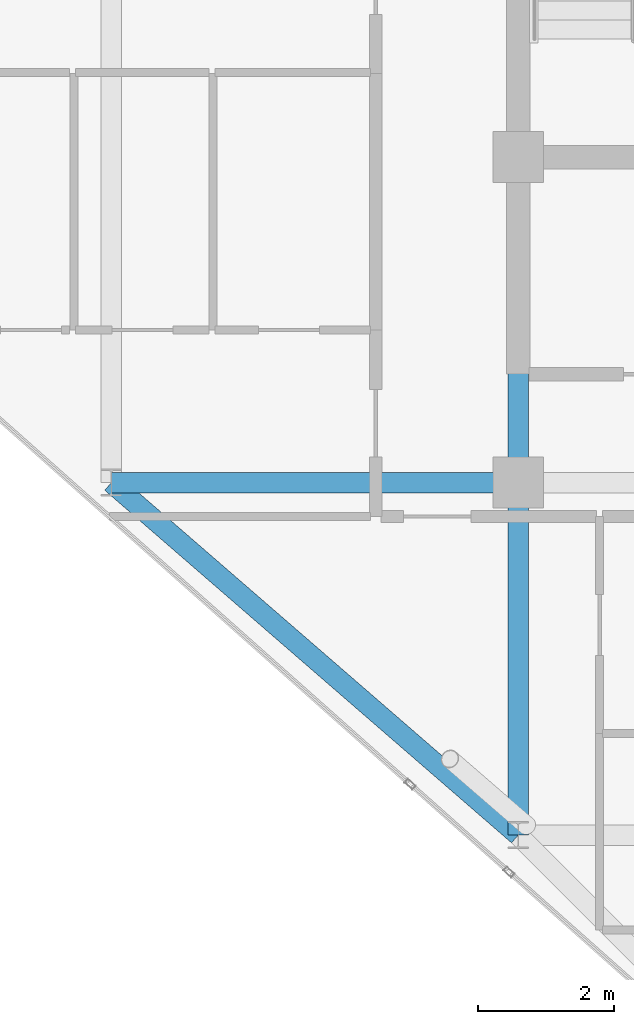
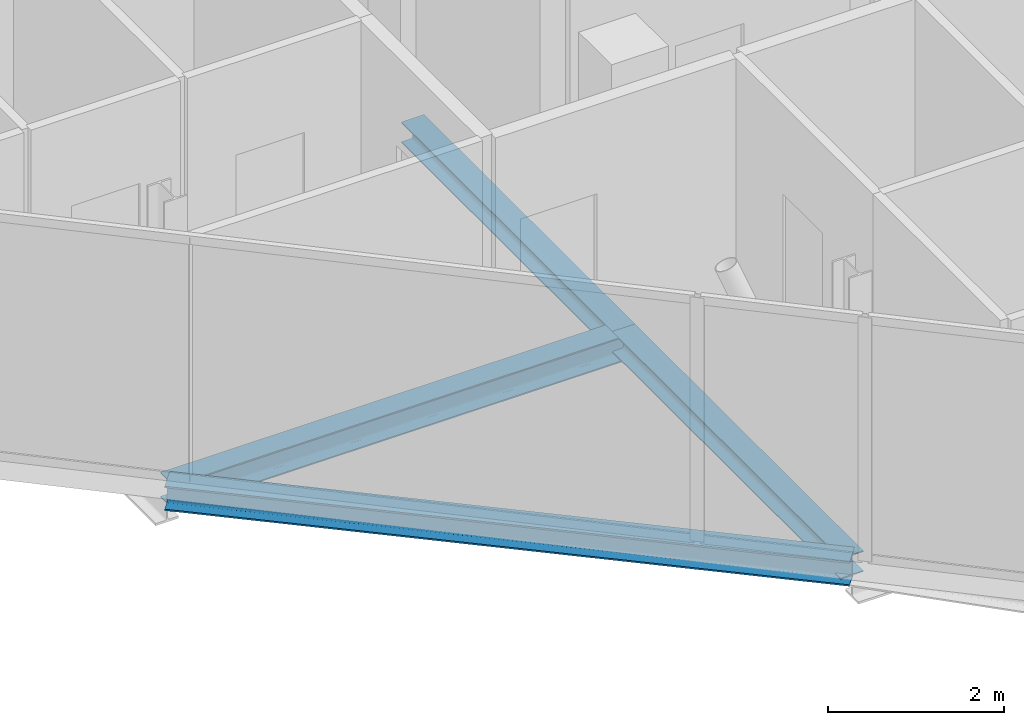
# One storey, part 5 of 27: 4 beams.
"""IFC4 building model written with IfcOpenShell, lengths in metres."""

import ifcopenshell
import ifcopenshell.guid

model = None  # the IFC model being written
_history = None  # IfcOwnerHistory: only IFC2X3 demands one
_inside = {}  # id of a spatial element -> (the spatial element, [elements in it])
_under = {}  # id of a project, library or spatial element -> (it, [spatial elements below it])
_declared = {}  # id of a project -> (the project, [libraries it declares])
_typed = {}  # id of a type object -> (the type object, [elements of that type])
_made_of = {}  # id of a material, layer set ... -> (it, [elements and type objects made of it])


def new_model(schema):
    """Start an empty IFC model of exactly this schema.

    Asked for "IFC4X3", IfcOpenShell would pick the latest addendum, in which some entities
    have other attributes; the version numbers below select the first issue.
    IFC2X3 requires an IfcOwnerHistory on every rooted entity: one is made here for all.
    """
    global model, _history
    if schema == "IFC4X3":
        model = ifcopenshell.file(schema_version=(4, 3, 0, 0))
    else:
        model = ifcopenshell.file(schema=schema)
    _inside.clear()
    _under.clear()
    _declared.clear()
    _typed.clear()
    _made_of.clear()
    _history = None
    if model.schema == "IFC2X3":
        org = make("IfcOrganization", Name="unknown")
        user = make(
            "IfcPersonAndOrganization",
            ThePerson=make("IfcPerson", FamilyName="unknown"),
            TheOrganization=org,
        )
        app = make(
            "IfcApplication",
            ApplicationDeveloper=org,
            Version="unknown",
            ApplicationFullName="unknown",
            ApplicationIdentifier="unknown",
        )
        _history = make(
            "IfcOwnerHistory",
            OwningUser=user,
            OwningApplication=app,
            ChangeAction="ADDED",
            CreationDate=0,
        )
    return model


def make(cls, **values):
    """One entity of the class cls with the attributes given. An attribute that is None is left unset."""
    return model.create_entity(
        cls, **{name: value for name, value in values.items() if value is not None}
    )


def rooted(cls, **values):
    """An entity with a GlobalId (a new one), such as an element, a storey or a relation."""
    return make(cls, GlobalId=ifcopenshell.guid.new(), OwnerHistory=_history, **values)


def si_unit(unit_type, name, prefix=None):
    """IfcSIUnit, for example si_unit("LENGTHUNIT", "METRE", prefix="MILLI")."""
    return make("IfcSIUnit", UnitType=unit_type, Prefix=prefix, Name=name)


def assignment(units):
    """IfcUnitAssignment: the units of a project."""
    return None if units is None else make("IfcUnitAssignment", Units=units)


def point(xyz):
    """IfcCartesianPoint."""
    return None if xyz is None else make("IfcCartesianPoint", Coordinates=xyz)


def direction(xyz):
    """IfcDirection."""
    return None if xyz is None else make("IfcDirection", DirectionRatios=xyz)


def frame(location, z_axis=None, x_axis=None):
    """IfcAxis2Placement3D, a coordinate frame: its origin and axes. An axis left out is left unset."""
    return make(
        "IfcAxis2Placement3D",
        Location=point(location),
        Axis=direction(z_axis),
        RefDirection=direction(x_axis),
    )


def frame_2d(location, x_axis=None):
    """IfcAxis2Placement2D, a coordinate frame in the plane: its origin and x axis."""
    return make(
        "IfcAxis2Placement2D", Location=point(location), RefDirection=direction(x_axis)
    )


def origin():
    """The frame at (0, 0, 0) with its axes left unset."""
    return frame((0.0, 0.0, 0.0))


def origin_2d():
    """The frame at (0, 0) in the plane with its x axis left unset."""
    return frame_2d((0.0, 0.0))


def place(relative_to, where):
    """IfcLocalPlacement: puts the frame where relative to a parent placement (None: the world)."""
    return make(
        "IfcLocalPlacement", PlacementRelTo=relative_to, RelativePlacement=where
    )


def context(
    kind, dimensions, precision=None, world=None, true_north=None, identifier=None
):
    """IfcGeometricRepresentationContext, for example the 3D "Model" context."""
    return make(
        "IfcGeometricRepresentationContext",
        ContextIdentifier=identifier,
        ContextType=kind,
        CoordinateSpaceDimension=dimensions,
        Precision=precision,
        WorldCoordinateSystem=world,
        TrueNorth=true_north,
    )


def subcontext(parent, identifier, kind, view, scale=None):
    """IfcGeometricRepresentationSubContext, for example "Body" below "Model"."""
    return make(
        "IfcGeometricRepresentationSubContext",
        ContextIdentifier=identifier,
        ContextType=kind,
        ParentContext=parent,
        TargetScale=scale,
        TargetView=view,
    )


def project(units=None, contexts=None):
    """IfcProject with its units and contexts."""
    return rooted(
        "IfcProject",
        Name="project",
        RepresentationContexts=contexts,
        UnitsInContext=assignment(units),
    )


def spatial(cls, under=None, at=None, **own):
    """A site, building, storey or space (cls), placed at a placement, below another one or the project."""
    s = rooted(cls, ObjectPlacement=at, **own)
    if under is not None:
        _under.setdefault(under.id(), (under, []))[1].append(s)
    return s


def profile(cls, at=None, kind="AREA", **sizes):
    """A parametric profile (cls). Its sizes go by their IFC names, for example OverallWidth=200.0."""
    return make(cls, ProfileType=kind, Position=at, **sizes)


def i_section(**sizes):
    """IfcIShapeProfileDef."""
    return profile("IfcIShapeProfileDef", **sizes)


def extrude(swept, where, along, depth):
    """IfcExtrudedAreaSolid: the profile swept, set in the frame where, extruded along a direction by depth."""
    return make(
        "IfcExtrudedAreaSolid",
        SweptArea=swept,
        Position=where,
        ExtrudedDirection=direction(along),
        Depth=depth,
    )


def shape(context_of_items, identifier, shape_type, items):
    """IfcShapeRepresentation: the items that make up one representation, for example the "Body"."""
    return make(
        "IfcShapeRepresentation",
        ContextOfItems=context_of_items,
        RepresentationIdentifier=identifier,
        RepresentationType=shape_type,
        Items=items,
    )


def material(Name=None, Category=None):
    """IfcMaterial."""
    return make("IfcMaterial", Name=Name, Category=Category)


def material_profile(
    of_material, cross_section, Name=None, Category=None, Priority=None
):
    """IfcMaterialProfile: a cross section and its material."""
    return make(
        "IfcMaterialProfile",
        Name=Name,
        Material=of_material,
        Profile=cross_section,
        Priority=Priority,
        Category=Category,
    )


def profile_set(profiles, Name=None, composite=None):
    """IfcMaterialProfileSet."""
    return make(
        "IfcMaterialProfileSet",
        Name=Name,
        MaterialProfiles=profiles,
        CompositeProfile=composite,
    )


def made_of(thing, what):
    """Note that an element or type object is made of a material, layer set ...; save() writes the relation."""
    if what is not None:
        _made_of.setdefault(what.id(), (what, []))[1].append(thing)
    return thing


def type_object(cls, material=None, **own):
    """A type object (cls), such as IfcWallType, which elements share."""
    return made_of(rooted(cls, **own), material)


def element(
    cls,
    number,
    at=None,
    inside=None,
    cuts=None,
    type_object=None,
    material=None,
    context=None,
    identifier="Body",
    shape_type=None,
    held_by="IfcProductDefinitionShape",
    body=None,
    shapes=None,
    **own,
):
    """One element of the class cls, such as IfcWall. Its Tag is "e" and its number.

    at: its placement. inside: the storey or other place that contains it. cuts: it is an
    opening in that element (IfcRelVoidsElement). A single representation is given by context,
    identifier, shape_type and body (its items); several are given by shapes. held_by: the class
    of the entity that holds the representations. save() writes the other relations.
    """
    e = rooted(cls, Tag="e%d" % number, ObjectPlacement=at, **own)
    if body is not None:
        shapes = [shape(context, identifier, shape_type, body)]
    if shapes is not None:
        e.Representation = make(held_by, Representations=shapes)
    if inside is not None:
        _inside.setdefault(inside.id(), (inside, []))[1].append(e)
    if cuts is not None:
        rooted(
            "IfcRelVoidsElement", RelatingBuildingElement=cuts, RelatedOpeningElement=e
        )
    if type_object is not None:
        _typed.setdefault(type_object.id(), (type_object, []))[1].append(e)
    return made_of(e, material)


def aggregate(whole, parts):
    """IfcRelAggregates: a whole, such as a stair, and the parts it consists of."""
    return rooted("IfcRelAggregates", RelatingObject=whole, RelatedObjects=parts)


def save(model, path):
    """Write the relations noted so far, then the file.

    IfcRelAggregates (storeys below a building ...), IfcRelContainedInSpatialStructure (elements
    in a storey), IfcRelDefinesByType, IfcRelAssociatesMaterial and IfcRelDeclares: one each for
    every whole, place, type object, material and project.
    """
    for whole, parts in _under.values():
        aggregate(whole, parts)
    for where, things in _inside.values():
        rooted(
            "IfcRelContainedInSpatialStructure",
            RelatedElements=things,
            RelatingStructure=where,
        )
    for kind, things in _typed.values():
        rooted("IfcRelDefinesByType", RelatedObjects=things, RelatingType=kind)
    for what, things in _made_of.values():
        rooted("IfcRelAssociatesMaterial", RelatedObjects=things, RelatingMaterial=what)
    for by, libraries in _declared.values():
        rooted("IfcRelDeclares", RelatingContext=by, RelatedDefinitions=libraries)
    model.write(path)


model = new_model("IFC4")

# Units and contexts
model_context = context("Model", 3, precision=1e-05, world=origin(), true_north=direction((0.0, 1.0)))
body_context = subcontext(model_context, "Body", "Model", "MODEL_VIEW")
ifc_project = project(units=[si_unit("LENGTHUNIT", "METRE"), si_unit("AREAUNIT", "SQUARE_METRE"), si_unit("VOLUMEUNIT", "CUBIC_METRE"), si_unit("PLANEANGLEUNIT", "RADIAN"), si_unit("MASSUNIT", "GRAM", prefix="KILO")], contexts=[model_context])

# Site, building, storey
site_placement = place(None, origin())
site = spatial("IfcSite", under=ifc_project, at=site_placement, CompositionType="ELEMENT")
building_placement = place(site_placement, origin())
building = spatial("IfcBuilding", under=site, at=building_placement, Name="Keshet Zoharim Tower", CompositionType="ELEMENT")
storey_placement = place(building_placement, frame((0.0, 0.0, 269.5)))
storey = spatial("IfcBuildingStorey", under=building, at=storey_placement, Name="L67", CompositionType="ELEMENT", Elevation=269.5)

# Beams
ifc_material = material(Name="Steel S355", Category="steel")
ifc_material_profile_1 = material_profile(ifc_material, i_section(OverallWidth=0.300048828125, OverallDepth=0.2900390625, WebThickness=0.008544921875, FlangeThickness=0.013916015625, FilletRadius=0.027099609375, at=origin_2d()), Name="HEA300")
ifc_profile_set_1 = profile_set([ifc_material_profile_1], Name="Steel S355")
beam_type_1 = type_object("IfcBeamType", Name="BM-PRI-HA300", PredefinedType="BEAM", material=ifc_profile_set_1)
beam_1_placement = place(storey_placement, frame((15.0, 12.699951171875, -0.455078125), z_axis=(0.0, 1.0, 0.0), x_axis=(-1.0, 0.0, 0.0)))
element("IfcBeam", 1, at=beam_1_placement, inside=storey, type_object=beam_type_1, Name="L67 Primary Girder Y-002", PredefinedType="BEAM", context=body_context, shape_type="SweptSolid", body=[
    extrude(i_section(OverallWidth=0.300048828125, OverallDepth=0.2900390625, WebThickness=0.008544921875, FlangeThickness=0.013916015625, FilletRadius=0.027099609375, at=origin_2d()), origin(), (0.0, 0.0, 1.0), 5.199951171875),
])
beam_2_placement = place(storey_placement, frame((15.0, 17.89990234375, -0.455078125), z_axis=(0.0, 1.0, 0.0), x_axis=(-1.0, 0.0, 0.0)))
element("IfcBeam", 2, at=beam_2_placement, inside=storey, type_object=beam_type_1, Name="L67 Primary Girder Y-003", PredefinedType="BEAM", context=body_context, shape_type="SweptSolid", body=[
    extrude(i_section(OverallWidth=0.300048828125, OverallDepth=0.2900390625, WebThickness=0.008544921875, FlangeThickness=0.013916015625, FilletRadius=0.027099609375, at=origin_2d()), origin(), (0.0, 0.0, 1.0), 4.800048828125),
])
ifc_material_profile_2 = material_profile(ifc_material, i_section(OverallWidth=0.300048828125, OverallDepth=0.35009765625, WebThickness=0.010009765625, FlangeThickness=0.017578125, FilletRadius=0.027099609375, at=origin_2d()), Name="HEA360")
ifc_profile_set_2 = profile_set([ifc_material_profile_2], Name="Steel S355")
beam_type_2 = type_object("IfcBeamType", Name="BM-PRI-HA360", PredefinedType="BEAM", material=ifc_profile_set_2)
beam_3_placement = place(storey_placement, frame((9.0, 17.89990234375, -0.485107421875), z_axis=(1.0, 0.0, 0.0), x_axis=(0.0, 1.0, 0.0)))
element("IfcBeam", 3, at=beam_3_placement, inside=storey, type_object=beam_type_2, Name="L67 Primary Girder X-005", PredefinedType="BEAM", context=body_context, shape_type="SweptSolid", body=[
    extrude(i_section(OverallWidth=0.300048828125, OverallDepth=0.35009765625, WebThickness=0.010009765625, FlangeThickness=0.017578125, FilletRadius=0.027099609375, at=origin_2d()), origin(), (0.0, 0.0, 1.0), 6.0),
])
ifc_material_profile_3 = material_profile(ifc_material, i_section(OverallWidth=0.300048828125, OverallDepth=0.340087890625, WebThickness=0.011962890625, FlangeThickness=0.021484375, FilletRadius=0.027099609375, at=origin_2d()), Name="HEB340")
ifc_profile_set_3 = profile_set([ifc_material_profile_3], Name="Steel S355")
beam_type_3 = type_object("IfcBeamType", Name="BM-SPN-HB340", PredefinedType="SPANDREL", material=ifc_profile_set_3)
beam_4_placement = place(storey_placement, frame((9.0, 17.89990234375, -0.47998046875), z_axis=(0.755692126483, -0.654927026447, 0.0), x_axis=(0.654927026447, 0.755692126483, 0.0)))
element("IfcBeam", 4, at=beam_4_placement, inside=storey, type_object=beam_type_3, Name="L67 Perimeter Spandrel Beam 02", PredefinedType="SPANDREL", context=body_context, shape_type="SweptSolid", body=[
    extrude(i_section(OverallWidth=0.300048828125, OverallDepth=0.340087890625, WebThickness=0.011962890625, FlangeThickness=0.021484375, FilletRadius=0.027099609375, at=origin_2d()), origin(), (0.0, 0.0, 1.0), 7.939697265625),
])

save(model, "model.ifc")
